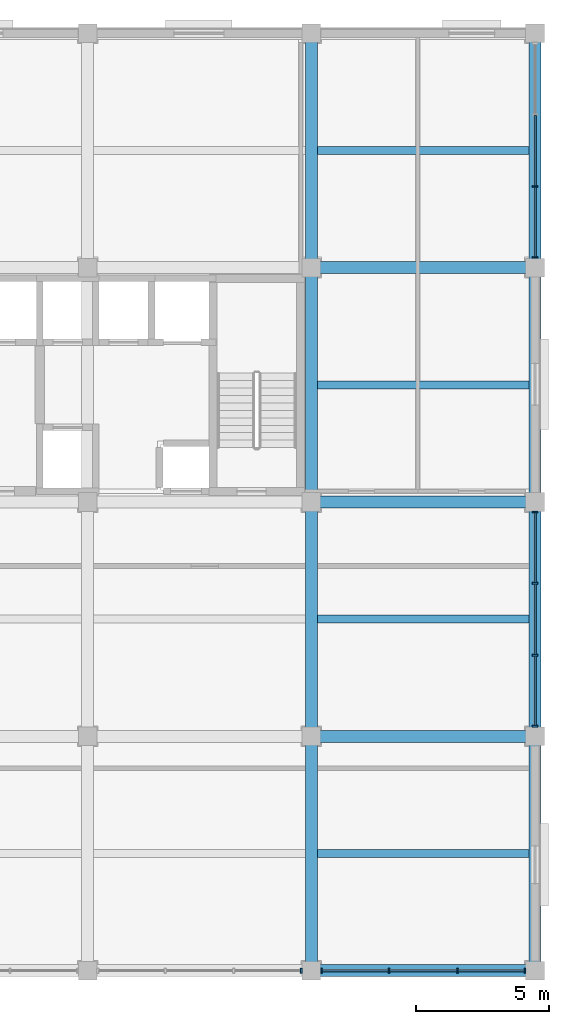
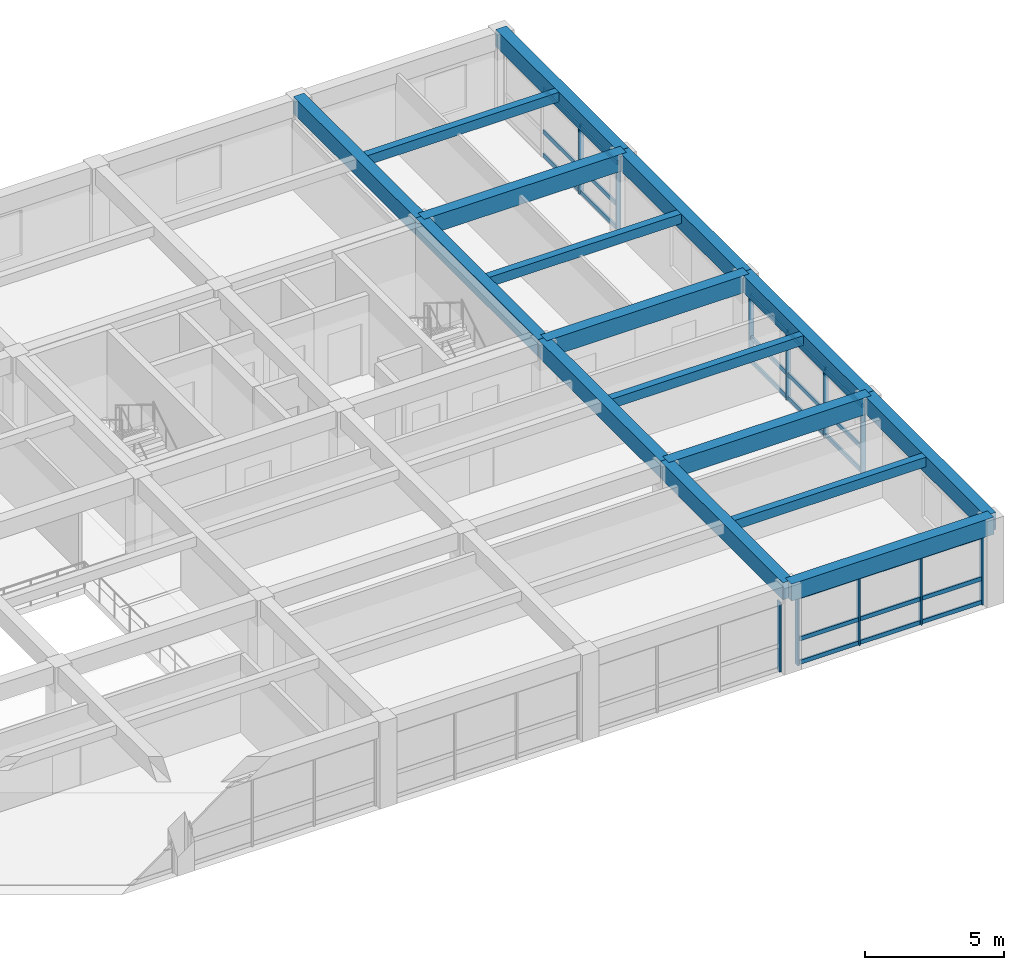
# One storey, part 5 of 13: 35 members, 16 beams, 4 elements without a shape of their own.
"""IFC4 building model written with IfcOpenShell, lengths in metres."""

from ifc_helpers import new_model, si_unit, direction, frame, origin, origin_2d, place, context, subcontext, project, spatial, rectangle, extrude, material, material_profile, profile_set, type_object, element, aggregate, save


model = new_model("IFC4")

# Units and contexts
model_context = context("Model", 3, precision=1e-05, world=origin(), true_north=direction((0.0, 1.0)))
body_context = subcontext(model_context, "Body", "Model", "MODEL_VIEW")
ifc_project = project(units=[si_unit("LENGTHUNIT", "METRE"), si_unit("AREAUNIT", "SQUARE_METRE"), si_unit("VOLUMEUNIT", "CUBIC_METRE"), si_unit("PLANEANGLEUNIT", "RADIAN"), si_unit("MASSUNIT", "GRAM", prefix="KILO")], contexts=[model_context])

# Site, building, storey
site_placement = place(None, origin())
site = spatial("IfcSite", under=ifc_project, at=site_placement, CompositionType="ELEMENT")
building_placement = place(site_placement, origin())
building = spatial("IfcBuilding", under=site, at=building_placement, Name="Kemercrest Conservatory and Botanical Centre", CompositionType="ELEMENT")
storey_placement = place(building_placement, frame((0.0, 0.0, 40.60009765625)))
storey = spatial("IfcBuildingStorey", under=building, at=storey_placement, Name="L10", CompositionType="ELEMENT", Elevation=40.60009765625)

# Beams
ifc_material_1 = material(Name="Concrete C40/50", Category="concrete")
ifc_material_profile_1 = material_profile(ifc_material_1, rectangle(XDim=0.449951171875, YDim=0.75, at=origin_2d()), Name="RC 450x750")
ifc_profile_set_1 = profile_set([ifc_material_profile_1], Name="Concrete C40/50")
beam_type_1 = type_object("IfcBeamType", Name="BM-RC75", PredefinedType="BEAM", material=ifc_profile_set_1)
for number, where, z_axis, x_axis, name in (
    (1, (167.60009765625, 96.0, 3.4248046875), (1.0, 0.0, 0.0), (0.0, 1.0, 0.0), "V4-L11 beam BM-RC75 L/20-21"),
    (2, (167.60009765625, 104.800048828125, 3.4248046875), (1.0, 0.0, 0.0), (0.0, 1.0, 0.0), "V4-L11 beam BM-RC75 M/20-21"),
    (3, (167.60009765625, 113.60009765625, 3.4248046875), (1.0, 0.0, 0.0), (0.0, 1.0, 0.0), "V4-L11 beam BM-RC75 N/20-21"),
):
    element("IfcBeam", number, at=place(storey_placement, frame(where, z_axis=z_axis, x_axis=x_axis)), inside=storey, type_object=beam_type_1, Name=name, PredefinedType="BEAM", context=body_context, shape_type="SweptSolid", body=[
        extrude(rectangle(XDim=0.449951171875, YDim=0.75, at=origin_2d()), origin(), (0.0, 0.0, 1.0), 8.39990234375),
    ])
for number, where, z_axis, x_axis, name in (
    (4, (167.60009765625, 87.199951171875, 3.4248046875), (0.0, 1.0, 0.0), (-1.0, 0.0, 0.0), "V4-L11 beam BM-RC75 20/K-L"),
    (5, (167.60009765625, 96.0, 3.4248046875), (0.0, 1.0, 0.0), (-1.0, 0.0, 0.0), "V4-L11 beam BM-RC75 20/L-M"),
    (6, (167.60009765625, 104.800048828125, 3.4248046875), (0.0, 1.0, 0.0), (-1.0, 0.0, 0.0), "V4-L11 beam BM-RC75 20/M-N"),
):
    element("IfcBeam", number, at=place(storey_placement, frame(where, z_axis=z_axis, x_axis=x_axis)), inside=storey, type_object=beam_type_1, Name=name, PredefinedType="BEAM", context=body_context, shape_type="SweptSolid", body=[
        extrude(rectangle(XDim=0.449951171875, YDim=0.75, at=origin_2d()), origin(), (0.0, 0.0, 1.0), 8.800048828125),
    ])
beam_1_placement = place(storey_placement, frame((167.60009765625, 113.60009765625, 3.4248046875), z_axis=(0.0, 1.0, 0.0), x_axis=(-1.0, 0.0, 0.0)))
element("IfcBeam", 7, at=beam_1_placement, inside=storey, type_object=beam_type_1, Name="V4-L11 beam BM-RC75 20/N-P", PredefinedType="BEAM", context=body_context, shape_type="SweptSolid", body=[
    extrude(rectangle(XDim=0.449951171875, YDim=0.75, at=origin_2d()), origin(), (0.0, 0.0, 1.0), 8.7998046875),
])

# Curtain wall, member
ifc_material_2 = material(Name="Thermally broken aluminium and triple low-e glazing", Category="aluminium")
curtain_wall_type_1 = type_object("IfcCurtainWallType", Name="CW-25", PredefinedType="USERDEFINED", material=ifc_material_2)
curtain_wall_1_placement = place(storey_placement, origin())
curtain_wall_1 = element("IfcCurtainWall", 8, at=curtain_wall_1_placement, inside=storey, type_object=curtain_wall_type_1, Name="Unitised curtain wall CW-25 (CW:L10:V4-114)", ObjectType="UNITISED CURTAIN WALL", PredefinedType="USERDEFINED")
ifc_material_3 = material(Name="Thermally broken anodized aluminium 6063-T6", Category="aluminium")
ifc_material_profile_2 = material_profile(ifc_material_3, rectangle(XDim=0.199951171875, YDim=0.06494140625, at=origin_2d()), Name="AL MULLION 65x200")
ifc_profile_set_2 = profile_set([ifc_material_profile_2], Name="Thermally broken anodized aluminium 6063-T6")
member_type_1 = type_object("IfcMemberType", Name="CW-M200", PredefinedType="MULLION", material=ifc_profile_set_2)
member_1_placement = place(storey_placement, frame((167.222412109375, 87.199951171875, 0.0), z_axis=(0.0, 0.0, 1.0), x_axis=(0.0, 1.0, 0.0)))
member_1 = element("IfcMember", 9, at=member_1_placement, type_object=member_type_1, Name="CW-25 mullion 4", PredefinedType="MULLION", context=body_context, shape_type="SweptSolid", body=[
    extrude(rectangle(XDim=0.199951171875, YDim=0.06494140625, at=origin_2d()), origin(), (0.0, 0.0, 1.0), 3.054931640625),
])
aggregate(curtain_wall_1, [member_1])

# Curtain wall, members
curtain_wall_type_2 = type_object("IfcCurtainWallType", Name="CW-26", PredefinedType="USERDEFINED", material=ifc_material_2)
curtain_wall_2_placement = place(storey_placement, origin())
curtain_wall_2 = element("IfcCurtainWall", 10, at=curtain_wall_2_placement, inside=storey, type_object=curtain_wall_type_2, Name="Unitised curtain wall CW-26 (CW:L10:V4-115)", ObjectType="UNITISED CURTAIN WALL", PredefinedType="USERDEFINED")
member_2_placement = place(storey_placement, frame((167.9775390625, 87.199951171875, 0.0), z_axis=(0.0, 0.0, 1.0), x_axis=(0.0, 1.0, 0.0)))
member_2 = element("IfcMember", 11, at=member_2_placement, type_object=member_type_1, Name="CW-26 mullion 1", PredefinedType="MULLION", context=body_context, shape_type="SweptSolid", body=[
    extrude(rectangle(XDim=0.199951171875, YDim=0.06494140625, at=origin_2d()), origin(), (0.0, 0.0, 1.0), 3.054931640625),
])
member_3_placement = place(storey_placement, frame((170.514892578125, 87.199951171875, 0.0), z_axis=(0.0, 0.0, 1.0), x_axis=(0.0, 1.0, 0.0)))
member_3 = element("IfcMember", 12, at=member_3_placement, type_object=member_type_1, Name="CW-26 mullion 2", PredefinedType="MULLION", context=body_context, shape_type="SweptSolid", body=[
    extrude(rectangle(XDim=0.199951171875, YDim=0.06494140625, at=origin_2d()), origin(), (0.0, 0.0, 1.0), 3.054931640625),
])
member_4_placement = place(storey_placement, frame((173.0849609375, 87.199951171875, 0.0), z_axis=(0.0, 0.0, 1.0), x_axis=(0.0, 1.0, 0.0)))
member_4 = element("IfcMember", 13, at=member_4_placement, type_object=member_type_1, Name="CW-26 mullion 3", PredefinedType="MULLION", context=body_context, shape_type="SweptSolid", body=[
    extrude(rectangle(XDim=0.199951171875, YDim=0.06494140625, at=origin_2d()), origin(), (0.0, 0.0, 1.0), 3.054931640625),
])
member_5_placement = place(storey_placement, frame((175.62255859375, 87.199951171875, 0.0), z_axis=(0.0, 0.0, 1.0), x_axis=(0.0, 1.0, 0.0)))
member_5 = element("IfcMember", 14, at=member_5_placement, type_object=member_type_1, Name="CW-26 mullion 4", PredefinedType="MULLION", context=body_context, shape_type="SweptSolid", body=[
    extrude(rectangle(XDim=0.199951171875, YDim=0.06494140625, at=origin_2d()), origin(), (0.0, 0.0, 1.0), 3.054931640625),
])

curtain_wall_type_3 = type_object("IfcCurtainWallType", Name="CW-27", PredefinedType="USERDEFINED", material=ifc_material_2)
curtain_wall_3_placement = place(storey_placement, origin())
curtain_wall_3 = element("IfcCurtainWall", 15, at=curtain_wall_3_placement, inside=storey, type_object=curtain_wall_type_3, Name="Unitised curtain wall CW-27 (CW:L10:V4-116)", ObjectType="UNITISED CURTAIN WALL", PredefinedType="USERDEFINED")
member_6_placement = place(storey_placement, frame((176.0, 96.37744140625, 0.0), z_axis=(0.0, 0.0, 1.0), x_axis=(-1.0, 0.0, 0.0)))
member_6 = element("IfcMember", 16, at=member_6_placement, type_object=member_type_1, Name="CW-27 mullion 1", PredefinedType="MULLION", context=body_context, shape_type="SweptSolid", body=[
    extrude(rectangle(XDim=0.199951171875, YDim=0.06494140625, at=origin_2d()), origin(), (0.0, 0.0, 1.0), 3.054931640625),
])
member_7_placement = place(storey_placement, frame((176.0, 99.04833984375, 0.0), z_axis=(0.0, 0.0, 1.0), x_axis=(-1.0, 0.0, 0.0)))
member_7 = element("IfcMember", 17, at=member_7_placement, type_object=member_type_1, Name="CW-27 mullion 2", PredefinedType="MULLION", context=body_context, shape_type="SweptSolid", body=[
    extrude(rectangle(XDim=0.199951171875, YDim=0.06494140625, at=origin_2d()), origin(), (0.0, 0.0, 1.0), 3.054931640625),
])
member_8_placement = place(storey_placement, frame((176.0, 101.751708984375, 0.0), z_axis=(0.0, 0.0, 1.0), x_axis=(-1.0, 0.0, 0.0)))
member_8 = element("IfcMember", 18, at=member_8_placement, type_object=member_type_1, Name="CW-27 mullion 3", PredefinedType="MULLION", context=body_context, shape_type="SweptSolid", body=[
    extrude(rectangle(XDim=0.199951171875, YDim=0.06494140625, at=origin_2d()), origin(), (0.0, 0.0, 1.0), 3.054931640625),
])
member_9_placement = place(storey_placement, frame((176.0, 104.422607421875, 0.0), z_axis=(0.0, 0.0, 1.0), x_axis=(-1.0, 0.0, 0.0)))
member_9 = element("IfcMember", 19, at=member_9_placement, type_object=member_type_1, Name="CW-27 mullion 4", PredefinedType="MULLION", context=body_context, shape_type="SweptSolid", body=[
    extrude(rectangle(XDim=0.199951171875, YDim=0.06494140625, at=origin_2d()), origin(), (0.0, 0.0, 1.0), 3.054931640625),
])

curtain_wall_type_4 = type_object("IfcCurtainWallType", Name="CW-28", PredefinedType="USERDEFINED", material=ifc_material_2)
curtain_wall_4_placement = place(storey_placement, origin())
curtain_wall_4 = element("IfcCurtainWall", 20, at=curtain_wall_4_placement, inside=storey, type_object=curtain_wall_type_4, Name="Unitised curtain wall CW-28 (CW:L10:V4-117)", ObjectType="UNITISED CURTAIN WALL", PredefinedType="USERDEFINED")
member_10_placement = place(storey_placement, frame((176.0, 113.9775390625, 0.0), z_axis=(0.0, 0.0, 1.0), x_axis=(-1.0, 0.0, 0.0)))
member_10 = element("IfcMember", 21, at=member_10_placement, type_object=member_type_1, Name="CW-28 mullion 1", PredefinedType="MULLION", context=body_context, shape_type="SweptSolid", body=[
    extrude(rectangle(XDim=0.199951171875, YDim=0.06494140625, at=origin_2d()), origin(), (0.0, 0.0, 1.0), 3.054931640625),
])
member_11_placement = place(storey_placement, frame((176.0, 116.6484375, 0.0), z_axis=(0.0, 0.0, 1.0), x_axis=(-1.0, 0.0, 0.0)))
member_11 = element("IfcMember", 22, at=member_11_placement, type_object=member_type_1, Name="CW-28 mullion 2", PredefinedType="MULLION", context=body_context, shape_type="SweptSolid", body=[
    extrude(rectangle(XDim=0.199951171875, YDim=0.06494140625, at=origin_2d()), origin(), (0.0, 0.0, 1.0), 3.054931640625),
])

# Member
ifc_material_profile_3 = material_profile(ifc_material_3, rectangle(XDim=0.074951171875, YDim=0.179931640625, at=origin_2d()), Name="AL TRANSOM 75x180")
ifc_profile_set_3 = profile_set([ifc_material_profile_3], Name="Thermally broken anodized aluminium 6063-T6")
member_type_2 = type_object("IfcMemberType", Name="CW-T180", PredefinedType="USERDEFINED", material=ifc_profile_set_3)
member_12_placement = place(storey_placement, frame((168.010009765625, 87.199951171875, 0.08984375), z_axis=(1.0, 0.0, 0.0), x_axis=(0.0, 1.0, 0.0)))
member_12 = element("IfcMember", 23, at=member_12_placement, type_object=member_type_2, Name="CW-26 transom 1.1", ObjectType="TRANSOM", PredefinedType="USERDEFINED", context=body_context, shape_type="SweptSolid", body=[
    extrude(rectangle(XDim=0.074951171875, YDim=0.179931640625, at=origin_2d()), origin(), (0.0, 0.0, 1.0), 2.472412109375),
])

member_13_placement = place(storey_placement, frame((168.010009765625, 87.199951171875, 1.119873046875), z_axis=(1.0, 0.0, 0.0), x_axis=(0.0, 1.0, 0.0)))
member_13 = element("IfcMember", 24, at=member_13_placement, type_object=member_type_2, Name="CW-26 transom 1.2", ObjectType="TRANSOM", PredefinedType="USERDEFINED", context=body_context, shape_type="SweptSolid", body=[
    extrude(rectangle(XDim=0.074951171875, YDim=0.179931640625, at=origin_2d()), origin(), (0.0, 0.0, 1.0), 2.472412109375),
])

member_14_placement = place(storey_placement, frame((168.010009765625, 87.199951171875, 2.96484375), z_axis=(1.0, 0.0, 0.0), x_axis=(0.0, 1.0, 0.0)))
member_14 = element("IfcMember", 25, at=member_14_placement, type_object=member_type_2, Name="CW-26 transom 1.3", ObjectType="TRANSOM", PredefinedType="USERDEFINED", context=body_context, shape_type="SweptSolid", body=[
    extrude(rectangle(XDim=0.074951171875, YDim=0.179931640625, at=origin_2d()), origin(), (0.0, 0.0, 1.0), 2.472412109375),
])

member_15_placement = place(storey_placement, frame((170.547607421875, 87.199951171875, 0.08984375), z_axis=(1.0, 0.0, 0.0), x_axis=(0.0, 1.0, 0.0)))
member_15 = element("IfcMember", 26, at=member_15_placement, type_object=member_type_2, Name="CW-26 transom 2.1", ObjectType="TRANSOM", PredefinedType="USERDEFINED", context=body_context, shape_type="SweptSolid", body=[
    extrude(rectangle(XDim=0.074951171875, YDim=0.179931640625, at=origin_2d()), origin(), (0.0, 0.0, 1.0), 2.5048828125),
])

member_16_placement = place(storey_placement, frame((170.547607421875, 87.199951171875, 1.119873046875), z_axis=(1.0, 0.0, 0.0), x_axis=(0.0, 1.0, 0.0)))
member_16 = element("IfcMember", 27, at=member_16_placement, type_object=member_type_2, Name="CW-26 transom 2.2", ObjectType="TRANSOM", PredefinedType="USERDEFINED", context=body_context, shape_type="SweptSolid", body=[
    extrude(rectangle(XDim=0.074951171875, YDim=0.179931640625, at=origin_2d()), origin(), (0.0, 0.0, 1.0), 2.5048828125),
])

member_17_placement = place(storey_placement, frame((170.547607421875, 87.199951171875, 2.96484375), z_axis=(1.0, 0.0, 0.0), x_axis=(0.0, 1.0, 0.0)))
member_17 = element("IfcMember", 28, at=member_17_placement, type_object=member_type_2, Name="CW-26 transom 2.3", ObjectType="TRANSOM", PredefinedType="USERDEFINED", context=body_context, shape_type="SweptSolid", body=[
    extrude(rectangle(XDim=0.074951171875, YDim=0.179931640625, at=origin_2d()), origin(), (0.0, 0.0, 1.0), 2.5048828125),
])

member_18_placement = place(storey_placement, frame((173.117431640625, 87.199951171875, 0.08984375), z_axis=(1.0, 0.0, 0.0), x_axis=(0.0, 1.0, 0.0)))
member_18 = element("IfcMember", 29, at=member_18_placement, type_object=member_type_2, Name="CW-26 transom 3.1", ObjectType="TRANSOM", PredefinedType="USERDEFINED", context=body_context, shape_type="SweptSolid", body=[
    extrude(rectangle(XDim=0.074951171875, YDim=0.179931640625, at=origin_2d()), origin(), (0.0, 0.0, 1.0), 2.47265625),
])

member_19_placement = place(storey_placement, frame((173.117431640625, 87.199951171875, 1.119873046875), z_axis=(1.0, 0.0, 0.0), x_axis=(0.0, 1.0, 0.0)))
member_19 = element("IfcMember", 30, at=member_19_placement, type_object=member_type_2, Name="CW-26 transom 3.2", ObjectType="TRANSOM", PredefinedType="USERDEFINED", context=body_context, shape_type="SweptSolid", body=[
    extrude(rectangle(XDim=0.074951171875, YDim=0.179931640625, at=origin_2d()), origin(), (0.0, 0.0, 1.0), 2.47265625),
])

member_20_placement = place(storey_placement, frame((173.117431640625, 87.199951171875, 2.96484375), z_axis=(1.0, 0.0, 0.0), x_axis=(0.0, 1.0, 0.0)))
member_20 = element("IfcMember", 31, at=member_20_placement, type_object=member_type_2, Name="CW-26 transom 3.3", ObjectType="TRANSOM", PredefinedType="USERDEFINED", context=body_context, shape_type="SweptSolid", body=[
    extrude(rectangle(XDim=0.074951171875, YDim=0.179931640625, at=origin_2d()), origin(), (0.0, 0.0, 1.0), 2.47265625),
])

aggregate(curtain_wall_2, [member_2, member_3, member_4, member_5, member_12, member_13, member_14, member_15, member_16, member_17, member_18, member_19, member_20])

member_21_placement = place(storey_placement, frame((176.0, 96.409912109375, 0.08984375), z_axis=(0.0, 1.0, 0.0), x_axis=(-1.0, 0.0, 0.0)))
member_21 = element("IfcMember", 32, at=member_21_placement, type_object=member_type_2, Name="CW-27 transom 1.1", ObjectType="TRANSOM", PredefinedType="USERDEFINED", context=body_context, shape_type="SweptSolid", body=[
    extrude(rectangle(XDim=0.074951171875, YDim=0.179931640625, at=origin_2d()), origin(), (0.0, 0.0, 1.0), 2.60595703125),
])

member_22_placement = place(storey_placement, frame((176.0, 96.409912109375, 1.119873046875), z_axis=(0.0, 1.0, 0.0), x_axis=(-1.0, 0.0, 0.0)))
member_22 = element("IfcMember", 33, at=member_22_placement, type_object=member_type_2, Name="CW-27 transom 1.2", ObjectType="TRANSOM", PredefinedType="USERDEFINED", context=body_context, shape_type="SweptSolid", body=[
    extrude(rectangle(XDim=0.074951171875, YDim=0.179931640625, at=origin_2d()), origin(), (0.0, 0.0, 1.0), 2.60595703125),
])

member_23_placement = place(storey_placement, frame((176.0, 96.409912109375, 2.96484375), z_axis=(0.0, 1.0, 0.0), x_axis=(-1.0, 0.0, 0.0)))
member_23 = element("IfcMember", 34, at=member_23_placement, type_object=member_type_2, Name="CW-27 transom 1.3", ObjectType="TRANSOM", PredefinedType="USERDEFINED", context=body_context, shape_type="SweptSolid", body=[
    extrude(rectangle(XDim=0.074951171875, YDim=0.179931640625, at=origin_2d()), origin(), (0.0, 0.0, 1.0), 2.60595703125),
])

member_24_placement = place(storey_placement, frame((176.0, 99.080810546875, 0.08984375), z_axis=(0.0, 1.0, 0.0), x_axis=(-1.0, 0.0, 0.0)))
member_24 = element("IfcMember", 35, at=member_24_placement, type_object=member_type_2, Name="CW-27 transom 2.1", ObjectType="TRANSOM", PredefinedType="USERDEFINED", context=body_context, shape_type="SweptSolid", body=[
    extrude(rectangle(XDim=0.074951171875, YDim=0.179931640625, at=origin_2d()), origin(), (0.0, 0.0, 1.0), 2.638427734375),
])

member_25_placement = place(storey_placement, frame((176.0, 99.080810546875, 1.119873046875), z_axis=(0.0, 1.0, 0.0), x_axis=(-1.0, 0.0, 0.0)))
member_25 = element("IfcMember", 36, at=member_25_placement, type_object=member_type_2, Name="CW-27 transom 2.2", ObjectType="TRANSOM", PredefinedType="USERDEFINED", context=body_context, shape_type="SweptSolid", body=[
    extrude(rectangle(XDim=0.074951171875, YDim=0.179931640625, at=origin_2d()), origin(), (0.0, 0.0, 1.0), 2.638427734375),
])

member_26_placement = place(storey_placement, frame((176.0, 99.080810546875, 2.96484375), z_axis=(0.0, 1.0, 0.0), x_axis=(-1.0, 0.0, 0.0)))
member_26 = element("IfcMember", 37, at=member_26_placement, type_object=member_type_2, Name="CW-27 transom 2.3", ObjectType="TRANSOM", PredefinedType="USERDEFINED", context=body_context, shape_type="SweptSolid", body=[
    extrude(rectangle(XDim=0.074951171875, YDim=0.179931640625, at=origin_2d()), origin(), (0.0, 0.0, 1.0), 2.638427734375),
])

member_27_placement = place(storey_placement, frame((176.0, 101.7841796875, 0.08984375), z_axis=(0.0, 1.0, 0.0), x_axis=(-1.0, 0.0, 0.0)))
member_27 = element("IfcMember", 38, at=member_27_placement, type_object=member_type_2, Name="CW-27 transom 3.1", ObjectType="TRANSOM", PredefinedType="USERDEFINED", context=body_context, shape_type="SweptSolid", body=[
    extrude(rectangle(XDim=0.074951171875, YDim=0.179931640625, at=origin_2d()), origin(), (0.0, 0.0, 1.0), 2.605712890625),
])

member_28_placement = place(storey_placement, frame((176.0, 101.7841796875, 1.119873046875), z_axis=(0.0, 1.0, 0.0), x_axis=(-1.0, 0.0, 0.0)))
member_28 = element("IfcMember", 39, at=member_28_placement, type_object=member_type_2, Name="CW-27 transom 3.2", ObjectType="TRANSOM", PredefinedType="USERDEFINED", context=body_context, shape_type="SweptSolid", body=[
    extrude(rectangle(XDim=0.074951171875, YDim=0.179931640625, at=origin_2d()), origin(), (0.0, 0.0, 1.0), 2.605712890625),
])

member_29_placement = place(storey_placement, frame((176.0, 101.7841796875, 2.96484375), z_axis=(0.0, 1.0, 0.0), x_axis=(-1.0, 0.0, 0.0)))
member_29 = element("IfcMember", 40, at=member_29_placement, type_object=member_type_2, Name="CW-27 transom 3.3", ObjectType="TRANSOM", PredefinedType="USERDEFINED", context=body_context, shape_type="SweptSolid", body=[
    extrude(rectangle(XDim=0.074951171875, YDim=0.179931640625, at=origin_2d()), origin(), (0.0, 0.0, 1.0), 2.605712890625),
])

aggregate(curtain_wall_3, [member_6, member_7, member_8, member_9, member_21, member_22, member_23, member_24, member_25, member_26, member_27, member_28, member_29])

member_30_placement = place(storey_placement, frame((176.0, 114.010009765625, 0.08984375), z_axis=(0.0, 1.0, 0.0), x_axis=(-1.0, 0.0, 0.0)))
member_30 = element("IfcMember", 41, at=member_30_placement, type_object=member_type_2, Name="CW-28 transom 1.1", ObjectType="TRANSOM", PredefinedType="USERDEFINED", context=body_context, shape_type="SweptSolid", body=[
    extrude(rectangle(XDim=0.074951171875, YDim=0.179931640625, at=origin_2d()), origin(), (0.0, 0.0, 1.0), 2.605712890625),
])

member_31_placement = place(storey_placement, frame((176.0, 114.010009765625, 1.119873046875), z_axis=(0.0, 1.0, 0.0), x_axis=(-1.0, 0.0, 0.0)))
member_31 = element("IfcMember", 42, at=member_31_placement, type_object=member_type_2, Name="CW-28 transom 1.2", ObjectType="TRANSOM", PredefinedType="USERDEFINED", context=body_context, shape_type="SweptSolid", body=[
    extrude(rectangle(XDim=0.074951171875, YDim=0.179931640625, at=origin_2d()), origin(), (0.0, 0.0, 1.0), 2.605712890625),
])

member_32_placement = place(storey_placement, frame((176.0, 114.010009765625, 2.96484375), z_axis=(0.0, 1.0, 0.0), x_axis=(-1.0, 0.0, 0.0)))
member_32 = element("IfcMember", 43, at=member_32_placement, type_object=member_type_2, Name="CW-28 transom 1.3", ObjectType="TRANSOM", PredefinedType="USERDEFINED", context=body_context, shape_type="SweptSolid", body=[
    extrude(rectangle(XDim=0.074951171875, YDim=0.179931640625, at=origin_2d()), origin(), (0.0, 0.0, 1.0), 2.605712890625),
])

member_33_placement = place(storey_placement, frame((176.0, 116.680908203125, 0.08984375), z_axis=(0.0, 1.0, 0.0), x_axis=(-1.0, 0.0, 0.0)))
member_33 = element("IfcMember", 44, at=member_33_placement, type_object=member_type_2, Name="CW-28 transom 2.1", ObjectType="TRANSOM", PredefinedType="USERDEFINED", context=body_context, shape_type="SweptSolid", body=[
    extrude(rectangle(XDim=0.074951171875, YDim=0.179931640625, at=origin_2d()), origin(), (0.0, 0.0, 1.0), 2.63818359375),
])

member_34_placement = place(storey_placement, frame((176.0, 116.680908203125, 1.119873046875), z_axis=(0.0, 1.0, 0.0), x_axis=(-1.0, 0.0, 0.0)))
member_34 = element("IfcMember", 45, at=member_34_placement, type_object=member_type_2, Name="CW-28 transom 2.2", ObjectType="TRANSOM", PredefinedType="USERDEFINED", context=body_context, shape_type="SweptSolid", body=[
    extrude(rectangle(XDim=0.074951171875, YDim=0.179931640625, at=origin_2d()), origin(), (0.0, 0.0, 1.0), 2.63818359375),
])

member_35_placement = place(storey_placement, frame((176.0, 116.680908203125, 2.96484375), z_axis=(0.0, 1.0, 0.0), x_axis=(-1.0, 0.0, 0.0)))
member_35 = element("IfcMember", 46, at=member_35_placement, type_object=member_type_2, Name="CW-28 transom 2.3", ObjectType="TRANSOM", PredefinedType="USERDEFINED", context=body_context, shape_type="SweptSolid", body=[
    extrude(rectangle(XDim=0.074951171875, YDim=0.179931640625, at=origin_2d()), origin(), (0.0, 0.0, 1.0), 2.63818359375),
])

aggregate(curtain_wall_4, [member_10, member_11, member_30, member_31, member_32, member_33, member_34, member_35])

# Beams
ifc_material_profile_4 = material_profile(ifc_material_1, rectangle(XDim=0.300048828125, YDim=0.419921875, at=origin_2d()), Name="RC 300x420")
ifc_profile_set_4 = profile_set([ifc_material_profile_4], Name="Concrete C40/50")
beam_type_2 = type_object("IfcBeamType", Name="JS-RC42", PredefinedType="JOIST", material=ifc_profile_set_4)
for number, where, z_axis, x_axis, name in (
    (47, (167.824951171875, 91.60009765625, 3.58984375), (1.0, 0.0, 0.0), (0.0, 1.0, 0.0), "V4-L11 secondary joist JS-RC42"),
    (48, (167.824951171875, 100.39990234375, 3.58984375), (1.0, 0.0, 0.0), (0.0, 1.0, 0.0), "V4-L11 secondary joist JS-RC42"),
    (49, (167.824951171875, 109.199951171875, 3.58984375), (1.0, 0.0, 0.0), (0.0, 1.0, 0.0), "V4-L11 secondary joist JS-RC42"),
    (50, (167.824951171875, 118.0, 3.58984375), (1.0, 0.0, 0.0), (0.0, 1.0, 0.0), "V4-L11 secondary joist JS-RC42"),
):
    element("IfcBeam", number, at=place(storey_placement, frame(where, z_axis=z_axis, x_axis=x_axis)), inside=storey, type_object=beam_type_2, Name=name, PredefinedType="JOIST", context=body_context, shape_type="SweptSolid", body=[
        extrude(rectangle(XDim=0.300048828125, YDim=0.419921875, at=origin_2d()), origin(), (0.0, 0.0, 1.0), 7.949951171875),
    ])
ifc_material_profile_5 = material_profile(ifc_material_1, rectangle(XDim=0.449951171875, YDim=0.75, at=origin_2d()), Name="RC 450x750")
ifc_profile_set_5 = profile_set([ifc_material_profile_5], Name="Concrete C40/50")
beam_type_3 = type_object("IfcBeamType", Name="SP-RC75", PredefinedType="SPANDREL", material=ifc_profile_set_5)
beam_2_placement = place(storey_placement, frame((167.60009765625, 87.199951171875, 3.4248046875), z_axis=(1.0, 0.0, 0.0), x_axis=(0.0, 1.0, 0.0)))
element("IfcBeam", 51, at=beam_2_placement, inside=storey, type_object=beam_type_3, Name="V4-L11 beam SP-RC75 K/20-21", PredefinedType="SPANDREL", context=body_context, shape_type="SweptSolid", body=[
    extrude(rectangle(XDim=0.449951171875, YDim=0.75, at=origin_2d()), origin(), (0.0, 0.0, 1.0), 8.39990234375),
])
for number, where, z_axis, x_axis, name in (
    (52, (176.0, 87.199951171875, 3.4248046875), (0.0, 1.0, 0.0), (-1.0, 0.0, 0.0), "V4-L11 beam SP-RC75 21/K-L"),
    (53, (176.0, 96.0, 3.4248046875), (0.0, 1.0, 0.0), (-1.0, 0.0, 0.0), "V4-L11 beam SP-RC75 21/L-M"),
    (54, (176.0, 104.800048828125, 3.4248046875), (0.0, 1.0, 0.0), (-1.0, 0.0, 0.0), "V4-L11 beam SP-RC75 21/M-N"),
):
    element("IfcBeam", number, at=place(storey_placement, frame(where, z_axis=z_axis, x_axis=x_axis)), inside=storey, type_object=beam_type_3, Name=name, PredefinedType="SPANDREL", context=body_context, shape_type="SweptSolid", body=[
        extrude(rectangle(XDim=0.449951171875, YDim=0.75, at=origin_2d()), origin(), (0.0, 0.0, 1.0), 8.800048828125),
    ])
beam_3_placement = place(storey_placement, frame((176.0, 113.60009765625, 3.4248046875), z_axis=(0.0, 1.0, 0.0), x_axis=(-1.0, 0.0, 0.0)))
element("IfcBeam", 55, at=beam_3_placement, inside=storey, type_object=beam_type_3, Name="V4-L11 beam SP-RC75 21/N-P", PredefinedType="SPANDREL", context=body_context, shape_type="SweptSolid", body=[
    extrude(rectangle(XDim=0.449951171875, YDim=0.75, at=origin_2d()), origin(), (0.0, 0.0, 1.0), 8.7998046875),
])

save(model, "model.ifc")
